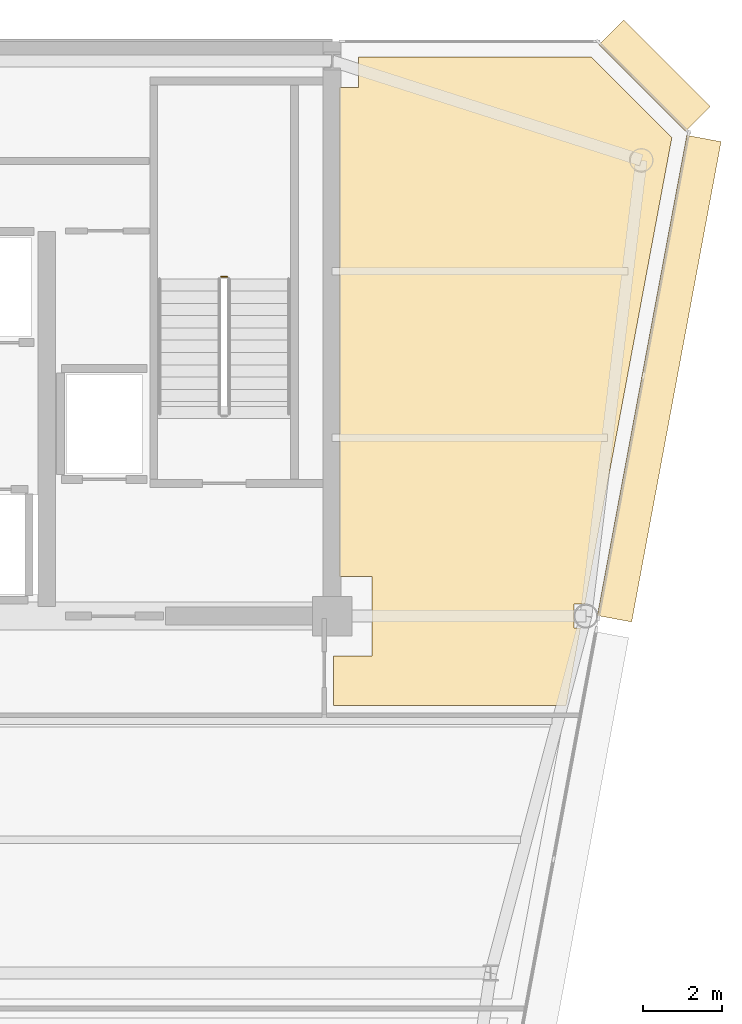
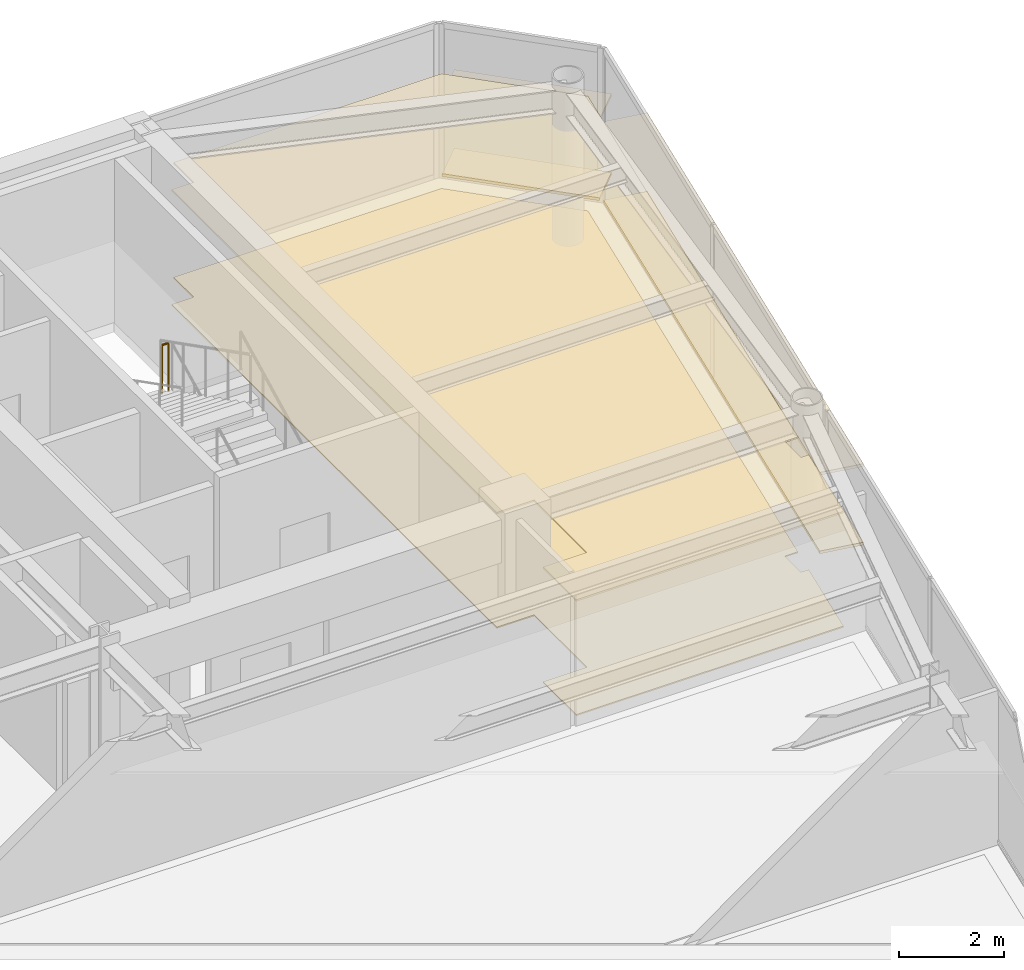
# One storey, part 18 of 18: 6 coverings, 1 railing.
"""IFC4 building model written with IfcOpenShell, lengths in metres."""

from ifc_helpers import new_model, si_unit, direction, frame, origin, origin_2d, place, context, subcontext, project, spatial, polyline, rectangle, circle, outline, extrude, source, transform, mapped, material, layer, layer_set, type_object, element, save


model = new_model("IFC4")

# Units and contexts
model_context = context("Model", 3, precision=1e-05, world=origin(), true_north=direction((0.0, 1.0)))
body_context = subcontext(model_context, "Body", "Model", "MODEL_VIEW")
ifc_project = project(units=[si_unit("LENGTHUNIT", "METRE"), si_unit("AREAUNIT", "SQUARE_METRE"), si_unit("VOLUMEUNIT", "CUBIC_METRE"), si_unit("PLANEANGLEUNIT", "RADIAN"), si_unit("MASSUNIT", "GRAM", prefix="KILO")], contexts=[model_context])

# Site, building, storey
site_placement = place(None, origin())
site = spatial("IfcSite", under=ifc_project, at=site_placement, CompositionType="ELEMENT")
building_placement = place(site_placement, origin())
building = spatial("IfcBuilding", under=site, at=building_placement, Name="Vaeldorn Concourse Tower", CompositionType="ELEMENT")
storey_placement = place(building_placement, frame((0.0, 0.0, 257.39990234375)))
storey = spatial("IfcBuildingStorey", under=building, at=storey_placement, Name="L66", CompositionType="ELEMENT", Elevation=257.39990234375)

# Coverings
ifc_material_1 = material(Name="Acoustic Mineral Fibre Board", Category="gypsum")
ifc_layer_1 = layer(ifc_material_1, 0.0400390625)
ifc_layer_set_1 = layer_set([ifc_layer_1], Name="Acoustic Mineral Fibre Board")
covering_type_1 = type_object("IfcCoveringType", Name="COV-CEIL-ACOUSTIC", PredefinedType="CEILING", material=ifc_layer_set_1)
covering_1_placement = place(storey_placement, frame((0.0, 0.0, 2.650146484375)))
element("IfcCovering", 1, at=covering_1_placement, inside=storey, type_object=covering_type_1, Name="Suspended Acoustic Ceiling L66-4", PredefinedType="CEILING", context=body_context, shape_type="SweptSolid", body=[
    extrude(outline(polyline([(54.179931640625, 49.840087890625), (54.659912109375, 49.840087890625), (54.659912109375, 50.60009765625), (60.5341796875, 50.60009765625), (62.568115234375, 48.566162109375), (60.378173828125, 36.804931640625), (60.094970703125, 36.804931640625), (60.094970703125, 36.195068359375), (60.2646484375, 36.195068359375), (59.900634765625, 34.239990234375), (54.0400390625, 34.239990234375), (54.0400390625, 35.5), (55.0, 35.5), (55.0, 37.5), (54.179931640625, 37.5), (54.179931640625, 49.840087890625)])), origin(), (0.0, 0.0, 1.0), 0.0400390625),
])
ifc_material_2 = material(Name="Honed Limestone Terrazzo Flooring", Category="masonry")
ifc_layer_2 = layer(ifc_material_2, 0.0400390625)
ifc_layer_set_2 = layer_set([ifc_layer_2], Name="Honed Limestone Terrazzo Flooring")
covering_type_2 = type_object("IfcCoveringType", Name="COV-FLOOR-STONE", PredefinedType="FLOORING", material=ifc_layer_set_2)
covering_2_placement = place(storey_placement, origin())
element("IfcCovering", 2, at=covering_2_placement, inside=storey, type_object=covering_type_2, Name="Floor Finish Covering L66-4", PredefinedType="FLOORING", context=body_context, shape_type="SweptSolid", body=[
    extrude(outline(polyline([(54.179931640625, 49.840087890625), (54.659912109375, 49.840087890625), (54.659912109375, 50.60009765625), (60.5341796875, 50.60009765625), (62.568115234375, 48.566162109375), (60.378173828125, 36.804931640625), (60.094970703125, 36.804931640625), (60.094970703125, 36.195068359375), (60.2646484375, 36.195068359375), (59.900634765625, 34.239990234375), (54.0400390625, 34.239990234375), (54.0400390625, 35.5), (55.0, 35.5), (55.0, 37.5), (54.179931640625, 37.5), (54.179931640625, 49.840087890625)])), origin(), (0.0, 0.0, 1.0), 0.030029296875),
])

# Railing
ifc_material_3 = material(Name="Anodised Bronze Aluminium", Category="aluminium")
railing_type = type_object("IfcRailingType", Name="RL-STAIR-GUARD", PredefinedType="GUARDRAIL", material=ifc_material_3)
railing_placement = place(storey_placement, frame((51.35009765625, 45.06005859375, 1.900146484375)))
element("IfcRailing", 3, at=railing_placement, inside=storey, type_object=railing_type, Name="L66 ST-2 stair guard 2", PredefinedType="GUARDRAIL", context=body_context, shape_type="SweptSolid", body=[
    extrude(circle(Radius=0.02392578125, at=origin_2d()), frame((0.0, 0.0, 1.1259765625), z_axis=(-1.0, 0.0, 0.0), x_axis=(0.0, -1.0, 0.0)), (0.0, 0.0, 1.0), 0.150146484375),
    extrude(circle(Radius=0.02099609375, at=origin_2d()), origin(), (0.0, 0.0, 1.0), 1.101806640625),
    extrude(circle(Radius=0.02099609375, at=origin_2d()), frame((-0.150146484375, 0.0, 0.0)), (0.0, 0.0, 1.0), 1.101806640625),
])

# Coverings
ifc_layer_3 = layer(ifc_material_3, 0.06494140625)
ifc_layer_set_3 = layer_set([ifc_layer_3], Name="Anodised Bronze Aluminium")
covering_type_3 = type_object("IfcCoveringType", Name="SD-BRONZE-SUNSHADE", PredefinedType="USERDEFINED", material=ifc_layer_set_3)
shared_shape_1 = source(origin(), body_context, "Body", "SweptSolid", [
    extrude(rectangle(XDim=3.0927734375, YDim=0.8798828125, at=origin_2d()), origin(), (0.0, 0.0, 1.0), 0.06494140625),
])
for number, where, z_axis, x_axis, name in (
    (4, (62.1328125, 50.1328125, 0.047607421875), (0.0, 0.0, 1.0), (-0.707106781187, 0.707106781187, 0.0), "Horizontal Bronze Sunshade L66-E08.1.1"),
    (5, (62.1328125, 50.1328125, 1.86767578125), (0.0, 0.0, 1.0), (-0.707106781187, 0.707106781187, 0.0), "Horizontal Bronze Sunshade L66-E08.1.2"),
):
    element("IfcCovering", number, at=place(storey_placement, frame(where, z_axis=z_axis, x_axis=x_axis)), inside=storey, type_object=covering_type_3, Name=name, ObjectType="SUNSHADE", PredefinedType="USERDEFINED", context=body_context, shape_type="MappedRepresentation", body=[
        mapped(shared_shape_1, transform((0.0, 0.0, 0.0), scale=1.0)),
    ])
shared_shape_2 = source(origin(), body_context, "Body", "SweptSolid", [
    extrude(rectangle(XDim=12.322509765625, YDim=0.8798828125, at=origin_2d()), origin(), (0.0, 0.0, 1.0), 0.06494140625),
])
for number, where, z_axis, x_axis, name in (
    (6, (62.250732421875, 42.490966796875, 0.047607421875), (0.0, 0.0, 1.0), (0.183059191151, 0.983101893262, 0.0), "Horizontal Bronze Sunshade L66-E07.2.1"),
    (7, (62.250732421875, 42.490966796875, 1.86767578125), (0.0, 0.0, 1.0), (0.183059191151, 0.983101893262, 0.0), "Horizontal Bronze Sunshade L66-E07.2.2"),
):
    element("IfcCovering", number, at=place(storey_placement, frame(where, z_axis=z_axis, x_axis=x_axis)), inside=storey, type_object=covering_type_3, Name=name, ObjectType="SUNSHADE", PredefinedType="USERDEFINED", context=body_context, shape_type="MappedRepresentation", body=[
        mapped(shared_shape_2, transform((0.0, 0.0, 0.0), scale=1.0)),
    ])

save(model, "model.ifc")
